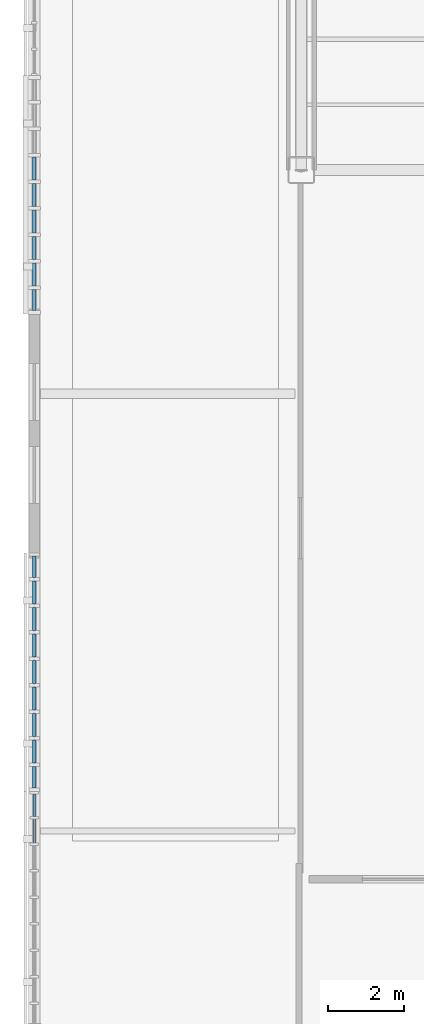
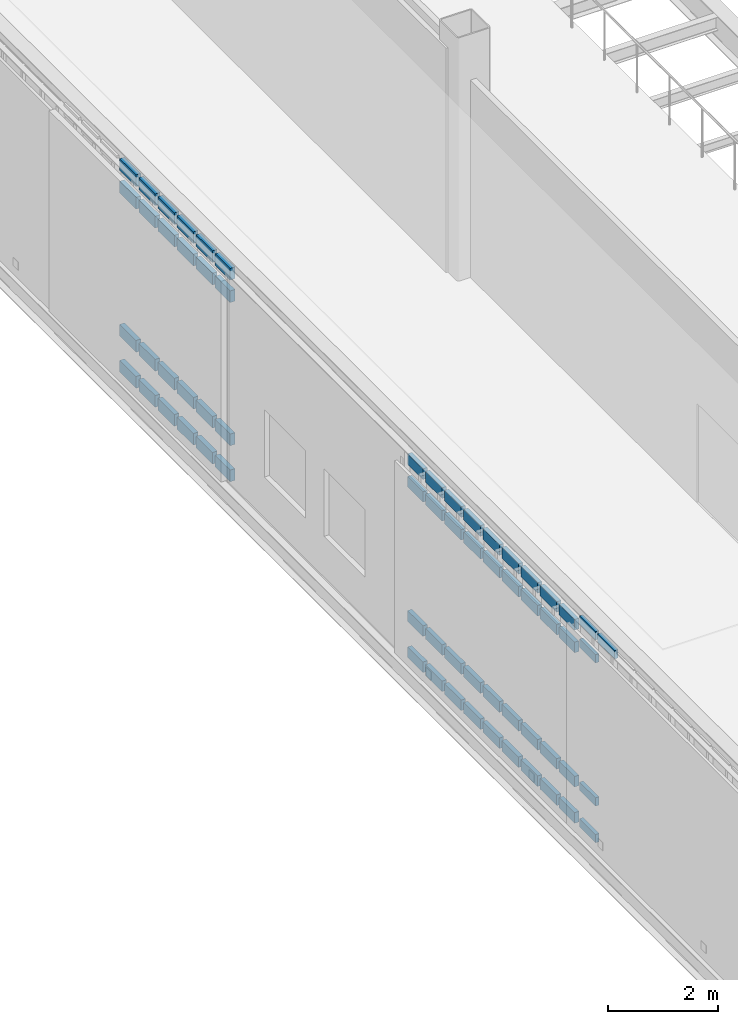
# One storey, part 49 of 127: 65 members, 3 elements without a shape of their own.
"""IFC4 building model written with IfcOpenShell, lengths in metres."""

from ifc_helpers import new_model, si_unit, direction, frame, origin, origin_2d, place, context, subcontext, project, spatial, rectangle, extrude, material, material_profile, profile_set, type_object, element, aggregate, save


model = new_model("IFC4")

# Units and contexts
model_context = context("Model", 3, precision=1e-05, world=origin(), true_north=direction((0.0, 1.0)))
body_context = subcontext(model_context, "Body", "Model", "MODEL_VIEW")
ifc_project = project(units=[si_unit("LENGTHUNIT", "METRE"), si_unit("AREAUNIT", "SQUARE_METRE"), si_unit("VOLUMEUNIT", "CUBIC_METRE"), si_unit("PLANEANGLEUNIT", "RADIAN"), si_unit("MASSUNIT", "GRAM", prefix="KILO")], contexts=[model_context])

# Site, building, storey
site_placement = place(None, origin())
site = spatial("IfcSite", under=ifc_project, at=site_placement, CompositionType="ELEMENT")
building_placement = place(site_placement, origin())
building = spatial("IfcBuilding", under=site, at=building_placement, Name="Larkvane Passage Sports Hall", CompositionType="ELEMENT")
storey_placement = place(building_placement, frame((0.0, 0.0, 5.39990234375)))
storey = spatial("IfcBuildingStorey", under=building, at=storey_placement, Name="L01", CompositionType="ELEMENT", Elevation=5.39990234375)

# Curtain wall, members
ifc_material_1 = material(Name="Thermally broken aluminium and low-E glazing", Category="aluminium")
curtain_wall_type_1 = type_object("IfcCurtainWallType", Name="CW-CLINIC", PredefinedType="USERDEFINED", material=ifc_material_1)
curtain_wall_1_placement = place(storey_placement, origin())
curtain_wall_1 = element("IfcCurtainWall", 1, at=curtain_wall_1_placement, inside=storey, type_object=curtain_wall_type_1, Name="Curtain wall CW5-L01-035", ObjectType="UNITISED CURTAIN WALL", PredefinedType="USERDEFINED")
ifc_material_2 = material(Name="Anodised aluminium 6063-T6", Category="aluminium")
ifc_material_profile_1 = material_profile(ifc_material_2, rectangle(XDim=0.10009765625, YDim=0.260009765625, at=origin_2d()), Name="ALU-TRN-100x260")
ifc_profile_set_1 = profile_set([ifc_material_profile_1], Name="Anodised aluminium 6063-T6")
member_type_1 = type_object("IfcMemberType", Name="CW-TRN-100x260", PredefinedType="USERDEFINED", material=ifc_profile_set_1)
member_1_placement = place(storey_placement, frame((27.800048828125, 47.918212890625, 0.050048828125), z_axis=(0.0, 1.0, 0.0), x_axis=(-1.0, 0.0, 0.0)))
member_1 = element("IfcMember", 2, at=member_1_placement, type_object=member_type_1, Name="CW-05 transom 1.1", ObjectType="TRANSOM", PredefinedType="USERDEFINED", context=body_context, shape_type="SweptSolid", body=[
    extrude(rectangle(XDim=0.10009765625, YDim=0.260009765625, at=origin_2d()), origin(), (0.0, 0.0, 1.0), 0.544921875),
])
member_2_placement = place(storey_placement, frame((27.800048828125, 47.918212890625, 0.85009765625), z_axis=(0.0, 1.0, 0.0), x_axis=(-1.0, 0.0, 0.0)))
member_2 = element("IfcMember", 3, at=member_2_placement, type_object=member_type_1, Name="CW-05 transom 1.2", ObjectType="TRANSOM", PredefinedType="USERDEFINED", context=body_context, shape_type="SweptSolid", body=[
    extrude(rectangle(XDim=0.10009765625, YDim=0.260009765625, at=origin_2d()), origin(), (0.0, 0.0, 1.0), 0.544921875),
])
member_3_placement = place(storey_placement, frame((27.800048828125, 47.918212890625, 4.028076171875), z_axis=(0.0, 1.0, 0.0), x_axis=(-1.0, 0.0, 0.0)))
member_3 = element("IfcMember", 4, at=member_3_placement, type_object=member_type_1, Name="CW-05 transom 1.3", ObjectType="TRANSOM", PredefinedType="USERDEFINED", context=body_context, shape_type="SweptSolid", body=[
    extrude(rectangle(XDim=0.10009765625, YDim=0.260009765625, at=origin_2d()), origin(), (0.0, 0.0, 1.0), 0.544921875),
])
member_4_placement = place(storey_placement, frame((27.800048828125, 47.918212890625, 4.528076171875), z_axis=(0.0, 1.0, 0.0), x_axis=(-1.0, 0.0, 0.0)))
member_4 = element("IfcMember", 5, at=member_4_placement, type_object=member_type_1, Name="CW-05 transom 1.4", ObjectType="TRANSOM", PredefinedType="USERDEFINED", context=body_context, shape_type="SweptSolid", body=[
    extrude(rectangle(XDim=0.10009765625, YDim=0.260009765625, at=origin_2d()), origin(), (0.0, 0.0, 1.0), 0.544921875),
])
member_5_placement = place(storey_placement, frame((27.800048828125, 48.563232421875, 0.050048828125), z_axis=(0.0, 1.0, 0.0), x_axis=(-1.0, 0.0, 0.0)))
member_5 = element("IfcMember", 6, at=member_5_placement, type_object=member_type_1, Name="CW-05 transom 2.1", ObjectType="TRANSOM", PredefinedType="USERDEFINED", context=body_context, shape_type="SweptSolid", body=[
    extrude(rectangle(XDim=0.10009765625, YDim=0.260009765625, at=origin_2d()), origin(), (0.0, 0.0, 1.0), 0.594970703125),
])
member_6_placement = place(storey_placement, frame((27.800048828125, 48.563232421875, 0.85009765625), z_axis=(0.0, 1.0, 0.0), x_axis=(-1.0, 0.0, 0.0)))
member_6 = element("IfcMember", 7, at=member_6_placement, type_object=member_type_1, Name="CW-05 transom 2.2", ObjectType="TRANSOM", PredefinedType="USERDEFINED", context=body_context, shape_type="SweptSolid", body=[
    extrude(rectangle(XDim=0.10009765625, YDim=0.260009765625, at=origin_2d()), origin(), (0.0, 0.0, 1.0), 0.594970703125),
])
member_7_placement = place(storey_placement, frame((27.800048828125, 48.563232421875, 4.028076171875), z_axis=(0.0, 1.0, 0.0), x_axis=(-1.0, 0.0, 0.0)))
member_7 = element("IfcMember", 8, at=member_7_placement, type_object=member_type_1, Name="CW-05 transom 2.3", ObjectType="TRANSOM", PredefinedType="USERDEFINED", context=body_context, shape_type="SweptSolid", body=[
    extrude(rectangle(XDim=0.10009765625, YDim=0.260009765625, at=origin_2d()), origin(), (0.0, 0.0, 1.0), 0.594970703125),
])
member_8_placement = place(storey_placement, frame((27.800048828125, 48.563232421875, 4.528076171875), z_axis=(0.0, 1.0, 0.0), x_axis=(-1.0, 0.0, 0.0)))
member_8 = element("IfcMember", 9, at=member_8_placement, type_object=member_type_1, Name="CW-05 transom 2.4", ObjectType="TRANSOM", PredefinedType="USERDEFINED", context=body_context, shape_type="SweptSolid", body=[
    extrude(rectangle(XDim=0.10009765625, YDim=0.260009765625, at=origin_2d()), origin(), (0.0, 0.0, 1.0), 0.594970703125),
])
member_9_placement = place(storey_placement, frame((27.800048828125, 49.258056640625, 0.050048828125), z_axis=(0.0, 1.0, 0.0), x_axis=(-1.0, 0.0, 0.0)))
member_9 = element("IfcMember", 10, at=member_9_placement, type_object=member_type_1, Name="CW-05 transom 3.1", ObjectType="TRANSOM", PredefinedType="USERDEFINED", context=body_context, shape_type="SweptSolid", body=[
    extrude(rectangle(XDim=0.10009765625, YDim=0.260009765625, at=origin_2d()), origin(), (0.0, 0.0, 1.0), 0.594970703125),
])
member_10_placement = place(storey_placement, frame((27.800048828125, 49.258056640625, 0.85009765625), z_axis=(0.0, 1.0, 0.0), x_axis=(-1.0, 0.0, 0.0)))
member_10 = element("IfcMember", 11, at=member_10_placement, type_object=member_type_1, Name="CW-05 transom 3.2", ObjectType="TRANSOM", PredefinedType="USERDEFINED", context=body_context, shape_type="SweptSolid", body=[
    extrude(rectangle(XDim=0.10009765625, YDim=0.260009765625, at=origin_2d()), origin(), (0.0, 0.0, 1.0), 0.594970703125),
])
member_11_placement = place(storey_placement, frame((27.800048828125, 49.258056640625, 4.028076171875), z_axis=(0.0, 1.0, 0.0), x_axis=(-1.0, 0.0, 0.0)))
member_11 = element("IfcMember", 12, at=member_11_placement, type_object=member_type_1, Name="CW-05 transom 3.3", ObjectType="TRANSOM", PredefinedType="USERDEFINED", context=body_context, shape_type="SweptSolid", body=[
    extrude(rectangle(XDim=0.10009765625, YDim=0.260009765625, at=origin_2d()), origin(), (0.0, 0.0, 1.0), 0.594970703125),
])
member_12_placement = place(storey_placement, frame((27.800048828125, 49.258056640625, 4.528076171875), z_axis=(0.0, 1.0, 0.0), x_axis=(-1.0, 0.0, 0.0)))
member_12 = element("IfcMember", 13, at=member_12_placement, type_object=member_type_1, Name="CW-05 transom 3.4", ObjectType="TRANSOM", PredefinedType="USERDEFINED", context=body_context, shape_type="SweptSolid", body=[
    extrude(rectangle(XDim=0.10009765625, YDim=0.260009765625, at=origin_2d()), origin(), (0.0, 0.0, 1.0), 0.594970703125),
])
member_13_placement = place(storey_placement, frame((27.800048828125, 49.953125, 0.050048828125), z_axis=(0.0, 1.0, 0.0), x_axis=(-1.0, 0.0, 0.0)))
member_13 = element("IfcMember", 14, at=member_13_placement, type_object=member_type_1, Name="CW-05 transom 4.1", ObjectType="TRANSOM", PredefinedType="USERDEFINED", context=body_context, shape_type="SweptSolid", body=[
    extrude(rectangle(XDim=0.10009765625, YDim=0.260009765625, at=origin_2d()), origin(), (0.0, 0.0, 1.0), 0.594970703125),
])
member_14_placement = place(storey_placement, frame((27.800048828125, 49.953125, 0.85009765625), z_axis=(0.0, 1.0, 0.0), x_axis=(-1.0, 0.0, 0.0)))
member_14 = element("IfcMember", 15, at=member_14_placement, type_object=member_type_1, Name="CW-05 transom 4.2", ObjectType="TRANSOM", PredefinedType="USERDEFINED", context=body_context, shape_type="SweptSolid", body=[
    extrude(rectangle(XDim=0.10009765625, YDim=0.260009765625, at=origin_2d()), origin(), (0.0, 0.0, 1.0), 0.594970703125),
])
member_15_placement = place(storey_placement, frame((27.800048828125, 49.953125, 4.028076171875), z_axis=(0.0, 1.0, 0.0), x_axis=(-1.0, 0.0, 0.0)))
member_15 = element("IfcMember", 16, at=member_15_placement, type_object=member_type_1, Name="CW-05 transom 4.3", ObjectType="TRANSOM", PredefinedType="USERDEFINED", context=body_context, shape_type="SweptSolid", body=[
    extrude(rectangle(XDim=0.10009765625, YDim=0.260009765625, at=origin_2d()), origin(), (0.0, 0.0, 1.0), 0.594970703125),
])
member_16_placement = place(storey_placement, frame((27.800048828125, 49.953125, 4.528076171875), z_axis=(0.0, 1.0, 0.0), x_axis=(-1.0, 0.0, 0.0)))
member_16 = element("IfcMember", 17, at=member_16_placement, type_object=member_type_1, Name="CW-05 transom 4.4", ObjectType="TRANSOM", PredefinedType="USERDEFINED", context=body_context, shape_type="SweptSolid", body=[
    extrude(rectangle(XDim=0.10009765625, YDim=0.260009765625, at=origin_2d()), origin(), (0.0, 0.0, 1.0), 0.594970703125),
])
member_17_placement = place(storey_placement, frame((27.800048828125, 50.64794921875, 0.050048828125), z_axis=(0.0, 1.0, 0.0), x_axis=(-1.0, 0.0, 0.0)))
member_17 = element("IfcMember", 18, at=member_17_placement, type_object=member_type_1, Name="CW-05 transom 5.1", ObjectType="TRANSOM", PredefinedType="USERDEFINED", context=body_context, shape_type="SweptSolid", body=[
    extrude(rectangle(XDim=0.10009765625, YDim=0.260009765625, at=origin_2d()), origin(), (0.0, 0.0, 1.0), 0.594970703125),
])
member_18_placement = place(storey_placement, frame((27.800048828125, 50.64794921875, 0.85009765625), z_axis=(0.0, 1.0, 0.0), x_axis=(-1.0, 0.0, 0.0)))
member_18 = element("IfcMember", 19, at=member_18_placement, type_object=member_type_1, Name="CW-05 transom 5.2", ObjectType="TRANSOM", PredefinedType="USERDEFINED", context=body_context, shape_type="SweptSolid", body=[
    extrude(rectangle(XDim=0.10009765625, YDim=0.260009765625, at=origin_2d()), origin(), (0.0, 0.0, 1.0), 0.594970703125),
])
member_19_placement = place(storey_placement, frame((27.800048828125, 50.64794921875, 4.028076171875), z_axis=(0.0, 1.0, 0.0), x_axis=(-1.0, 0.0, 0.0)))
member_19 = element("IfcMember", 20, at=member_19_placement, type_object=member_type_1, Name="CW-05 transom 5.3", ObjectType="TRANSOM", PredefinedType="USERDEFINED", context=body_context, shape_type="SweptSolid", body=[
    extrude(rectangle(XDim=0.10009765625, YDim=0.260009765625, at=origin_2d()), origin(), (0.0, 0.0, 1.0), 0.594970703125),
])
member_20_placement = place(storey_placement, frame((27.800048828125, 50.64794921875, 4.528076171875), z_axis=(0.0, 1.0, 0.0), x_axis=(-1.0, 0.0, 0.0)))
member_20 = element("IfcMember", 21, at=member_20_placement, type_object=member_type_1, Name="CW-05 transom 5.4", ObjectType="TRANSOM", PredefinedType="USERDEFINED", context=body_context, shape_type="SweptSolid", body=[
    extrude(rectangle(XDim=0.10009765625, YDim=0.260009765625, at=origin_2d()), origin(), (0.0, 0.0, 1.0), 0.594970703125),
])
member_21_placement = place(storey_placement, frame((27.800048828125, 51.343017578125, 0.050048828125), z_axis=(0.0, 1.0, 0.0), x_axis=(-1.0, 0.0, 0.0)))
member_21 = element("IfcMember", 22, at=member_21_placement, type_object=member_type_1, Name="CW-05 transom 6.1", ObjectType="TRANSOM", PredefinedType="USERDEFINED", context=body_context, shape_type="SweptSolid", body=[
    extrude(rectangle(XDim=0.10009765625, YDim=0.260009765625, at=origin_2d()), origin(), (0.0, 0.0, 1.0), 0.594970703125),
])
member_22_placement = place(storey_placement, frame((27.800048828125, 51.343017578125, 0.85009765625), z_axis=(0.0, 1.0, 0.0), x_axis=(-1.0, 0.0, 0.0)))
member_22 = element("IfcMember", 23, at=member_22_placement, type_object=member_type_1, Name="CW-05 transom 6.2", ObjectType="TRANSOM", PredefinedType="USERDEFINED", context=body_context, shape_type="SweptSolid", body=[
    extrude(rectangle(XDim=0.10009765625, YDim=0.260009765625, at=origin_2d()), origin(), (0.0, 0.0, 1.0), 0.594970703125),
])
member_23_placement = place(storey_placement, frame((27.800048828125, 51.343017578125, 4.028076171875), z_axis=(0.0, 1.0, 0.0), x_axis=(-1.0, 0.0, 0.0)))
member_23 = element("IfcMember", 24, at=member_23_placement, type_object=member_type_1, Name="CW-05 transom 6.3", ObjectType="TRANSOM", PredefinedType="USERDEFINED", context=body_context, shape_type="SweptSolid", body=[
    extrude(rectangle(XDim=0.10009765625, YDim=0.260009765625, at=origin_2d()), origin(), (0.0, 0.0, 1.0), 0.594970703125),
])
member_24_placement = place(storey_placement, frame((27.800048828125, 51.343017578125, 4.528076171875), z_axis=(0.0, 1.0, 0.0), x_axis=(-1.0, 0.0, 0.0)))
member_24 = element("IfcMember", 25, at=member_24_placement, type_object=member_type_1, Name="CW-05 transom 6.4", ObjectType="TRANSOM", PredefinedType="USERDEFINED", context=body_context, shape_type="SweptSolid", body=[
    extrude(rectangle(XDim=0.10009765625, YDim=0.260009765625, at=origin_2d()), origin(), (0.0, 0.0, 1.0), 0.594970703125),
])
aggregate(curtain_wall_1, [member_1, member_2, member_3, member_4, member_5, member_6, member_7, member_8, member_9, member_10, member_11, member_12, member_13, member_14, member_15, member_16, member_17, member_18, member_19, member_20, member_21, member_22, member_23, member_24])

curtain_wall_type_2 = type_object("IfcCurtainWallType", Name="CW-UNIT-VEIL", PredefinedType="USERDEFINED", material=ifc_material_1)
curtain_wall_2_placement = place(storey_placement, origin())
curtain_wall_2 = element("IfcCurtainWall", 26, at=curtain_wall_2_placement, inside=storey, type_object=curtain_wall_type_2, Name="Curtain wall CW5-L01-033", ObjectType="UNITISED CURTAIN WALL", PredefinedType="USERDEFINED")
ifc_material_profile_2 = material_profile(ifc_material_2, rectangle(XDim=0.074951171875, YDim=0.18505859375, at=origin_2d()), Name="ALU-TRN-75x185")
ifc_profile_set_2 = profile_set([ifc_material_profile_2], Name="Anodised aluminium 6063-T6")
member_type_2 = type_object("IfcMemberType", Name="CW-TRN-75x185", PredefinedType="USERDEFINED", material=ifc_profile_set_2)
member_25_placement = place(storey_placement, frame((27.800048828125, 33.956787109375, 4.54052734375), z_axis=(0.0, 1.0, 0.0), x_axis=(-1.0, 0.0, 0.0)))
member_25 = element("IfcMember", 27, at=member_25_placement, type_object=member_type_2, Name="CW-02 transom 8.4", ObjectType="TRANSOM", PredefinedType="USERDEFINED", context=body_context, shape_type="SweptSolid", body=[
    extrude(rectangle(XDim=0.074951171875, YDim=0.18505859375, at=origin_2d()), origin(), (0.0, 0.0, 1.0), 0.619873046875),
])
member_26_placement = place(storey_placement, frame((27.800048828125, 34.651611328125, 0.03759765625), z_axis=(0.0, 1.0, 0.0), x_axis=(-1.0, 0.0, 0.0)))
member_26 = element("IfcMember", 28, at=member_26_placement, type_object=member_type_2, Name="CW-02 transom 9.1", ObjectType="TRANSOM", PredefinedType="USERDEFINED", context=body_context, shape_type="SweptSolid", body=[
    extrude(rectangle(XDim=0.074951171875, YDim=0.18505859375, at=origin_2d()), origin(), (0.0, 0.0, 1.0), 0.58251953125),
])
member_27_placement = place(storey_placement, frame((27.800048828125, 34.651611328125, 0.85009765625), z_axis=(0.0, 1.0, 0.0), x_axis=(-1.0, 0.0, 0.0)))
member_27 = element("IfcMember", 29, at=member_27_placement, type_object=member_type_2, Name="CW-02 transom 9.2", ObjectType="TRANSOM", PredefinedType="USERDEFINED", context=body_context, shape_type="SweptSolid", body=[
    extrude(rectangle(XDim=0.074951171875, YDim=0.18505859375, at=origin_2d()), origin(), (0.0, 0.0, 1.0), 0.58251953125),
])
member_28_placement = place(storey_placement, frame((27.800048828125, 34.651611328125, 4.028076171875), z_axis=(0.0, 1.0, 0.0), x_axis=(-1.0, 0.0, 0.0)))
member_28 = element("IfcMember", 30, at=member_28_placement, type_object=member_type_2, Name="CW-02 transom 9.3", ObjectType="TRANSOM", PredefinedType="USERDEFINED", context=body_context, shape_type="SweptSolid", body=[
    extrude(rectangle(XDim=0.074951171875, YDim=0.18505859375, at=origin_2d()), origin(), (0.0, 0.0, 1.0), 0.58251953125),
])
member_29_placement = place(storey_placement, frame((27.800048828125, 34.651611328125, 4.54052734375), z_axis=(0.0, 1.0, 0.0), x_axis=(-1.0, 0.0, 0.0)))
member_29 = element("IfcMember", 31, at=member_29_placement, type_object=member_type_2, Name="CW-02 transom 9.4", ObjectType="TRANSOM", PredefinedType="USERDEFINED", context=body_context, shape_type="SweptSolid", body=[
    extrude(rectangle(XDim=0.074951171875, YDim=0.18505859375, at=origin_2d()), origin(), (0.0, 0.0, 1.0), 0.58251953125),
])
aggregate(curtain_wall_2, [member_25, member_26, member_27, member_28, member_29])

curtain_wall_type_3 = type_object("IfcCurtainWallType", Name="CW-STICK-FOYER", PredefinedType="USERDEFINED", material=ifc_material_1)
curtain_wall_3_placement = place(storey_placement, origin())
curtain_wall_3 = element("IfcCurtainWall", 32, at=curtain_wall_3_placement, inside=storey, type_object=curtain_wall_type_3, Name="Curtain wall CW5-L01-034", ObjectType="STICK CURTAIN WALL", PredefinedType="USERDEFINED")
ifc_material_profile_3 = material_profile(ifc_material_2, rectangle(XDim=0.090087890625, YDim=0.235107421875, at=origin_2d()), Name="ALU-TRN-90x235")
ifc_profile_set_3 = profile_set([ifc_material_profile_3], Name="Anodised aluminium 6063-T6")
member_type_3 = type_object("IfcMemberType", Name="CW-TRN-90x235", PredefinedType="USERDEFINED", material=ifc_profile_set_3)
member_30_placement = place(storey_placement, frame((27.800048828125, 35.399169921875, 0.045166015625), z_axis=(0.0, 1.0, 0.0), x_axis=(-1.0, 0.0, 0.0)))
member_30 = element("IfcMember", 33, at=member_30_placement, type_object=member_type_3, Name="CW-03 transom 1.1", ObjectType="TRANSOM", PredefinedType="USERDEFINED", context=body_context, shape_type="SweptSolid", body=[
    extrude(rectangle(XDim=0.090087890625, YDim=0.235107421875, at=origin_2d()), origin(), (0.0, 0.0, 1.0), 0.559814453125),
])
member_31_placement = place(storey_placement, frame((27.800048828125, 35.399169921875, 0.85009765625), z_axis=(0.0, 1.0, 0.0), x_axis=(-1.0, 0.0, 0.0)))
member_31 = element("IfcMember", 34, at=member_31_placement, type_object=member_type_3, Name="CW-03 transom 1.2", ObjectType="TRANSOM", PredefinedType="USERDEFINED", context=body_context, shape_type="SweptSolid", body=[
    extrude(rectangle(XDim=0.090087890625, YDim=0.235107421875, at=origin_2d()), origin(), (0.0, 0.0, 1.0), 0.559814453125),
])
member_32_placement = place(storey_placement, frame((27.800048828125, 35.399169921875, 3.830078125), z_axis=(0.0, 1.0, 0.0), x_axis=(-1.0, 0.0, 0.0)))
member_32 = element("IfcMember", 35, at=member_32_placement, type_object=member_type_3, Name="CW-03 transom 1.3", ObjectType="TRANSOM", PredefinedType="USERDEFINED", context=body_context, shape_type="SweptSolid", body=[
    extrude(rectangle(XDim=0.090087890625, YDim=0.235107421875, at=origin_2d()), origin(), (0.0, 0.0, 1.0), 0.559814453125),
])
member_33_placement = place(storey_placement, frame((27.800048828125, 35.399169921875, 4.335205078125), z_axis=(0.0, 1.0, 0.0), x_axis=(-1.0, 0.0, 0.0)))
member_33 = element("IfcMember", 36, at=member_33_placement, type_object=member_type_3, Name="CW-03 transom 1.4", ObjectType="TRANSOM", PredefinedType="USERDEFINED", context=body_context, shape_type="SweptSolid", body=[
    extrude(rectangle(XDim=0.090087890625, YDim=0.235107421875, at=origin_2d()), origin(), (0.0, 0.0, 1.0), 0.559814453125),
])
member_34_placement = place(storey_placement, frame((27.800048828125, 36.049072265625, 0.045166015625), z_axis=(0.0, 1.0, 0.0), x_axis=(-1.0, 0.0, 0.0)))
member_34 = element("IfcMember", 37, at=member_34_placement, type_object=member_type_3, Name="CW-03 transom 2.1", ObjectType="TRANSOM", PredefinedType="USERDEFINED", context=body_context, shape_type="SweptSolid", body=[
    extrude(rectangle(XDim=0.090087890625, YDim=0.235107421875, at=origin_2d()), origin(), (0.0, 0.0, 1.0), 0.60498046875),
])
member_35_placement = place(storey_placement, frame((27.800048828125, 36.049072265625, 0.85009765625), z_axis=(0.0, 1.0, 0.0), x_axis=(-1.0, 0.0, 0.0)))
member_35 = element("IfcMember", 38, at=member_35_placement, type_object=member_type_3, Name="CW-03 transom 2.2", ObjectType="TRANSOM", PredefinedType="USERDEFINED", context=body_context, shape_type="SweptSolid", body=[
    extrude(rectangle(XDim=0.090087890625, YDim=0.235107421875, at=origin_2d()), origin(), (0.0, 0.0, 1.0), 0.60498046875),
])
member_36_placement = place(storey_placement, frame((27.800048828125, 36.049072265625, 3.830078125), z_axis=(0.0, 1.0, 0.0), x_axis=(-1.0, 0.0, 0.0)))
member_36 = element("IfcMember", 39, at=member_36_placement, type_object=member_type_3, Name="CW-03 transom 2.3", ObjectType="TRANSOM", PredefinedType="USERDEFINED", context=body_context, shape_type="SweptSolid", body=[
    extrude(rectangle(XDim=0.090087890625, YDim=0.235107421875, at=origin_2d()), origin(), (0.0, 0.0, 1.0), 0.60498046875),
])
member_37_placement = place(storey_placement, frame((27.800048828125, 36.049072265625, 4.335205078125), z_axis=(0.0, 1.0, 0.0), x_axis=(-1.0, 0.0, 0.0)))
member_37 = element("IfcMember", 40, at=member_37_placement, type_object=member_type_3, Name="CW-03 transom 2.4", ObjectType="TRANSOM", PredefinedType="USERDEFINED", context=body_context, shape_type="SweptSolid", body=[
    extrude(rectangle(XDim=0.090087890625, YDim=0.235107421875, at=origin_2d()), origin(), (0.0, 0.0, 1.0), 0.60498046875),
])
member_38_placement = place(storey_placement, frame((27.800048828125, 36.743896484375, 0.045166015625), z_axis=(0.0, 1.0, 0.0), x_axis=(-1.0, 0.0, 0.0)))
member_38 = element("IfcMember", 41, at=member_38_placement, type_object=member_type_3, Name="CW-03 transom 3.1", ObjectType="TRANSOM", PredefinedType="USERDEFINED", context=body_context, shape_type="SweptSolid", body=[
    extrude(rectangle(XDim=0.090087890625, YDim=0.235107421875, at=origin_2d()), origin(), (0.0, 0.0, 1.0), 0.60498046875),
])
member_39_placement = place(storey_placement, frame((27.800048828125, 36.743896484375, 0.85009765625), z_axis=(0.0, 1.0, 0.0), x_axis=(-1.0, 0.0, 0.0)))
member_39 = element("IfcMember", 42, at=member_39_placement, type_object=member_type_3, Name="CW-03 transom 3.2", ObjectType="TRANSOM", PredefinedType="USERDEFINED", context=body_context, shape_type="SweptSolid", body=[
    extrude(rectangle(XDim=0.090087890625, YDim=0.235107421875, at=origin_2d()), origin(), (0.0, 0.0, 1.0), 0.60498046875),
])
member_40_placement = place(storey_placement, frame((27.800048828125, 36.743896484375, 3.830078125), z_axis=(0.0, 1.0, 0.0), x_axis=(-1.0, 0.0, 0.0)))
member_40 = element("IfcMember", 43, at=member_40_placement, type_object=member_type_3, Name="CW-03 transom 3.3", ObjectType="TRANSOM", PredefinedType="USERDEFINED", context=body_context, shape_type="SweptSolid", body=[
    extrude(rectangle(XDim=0.090087890625, YDim=0.235107421875, at=origin_2d()), origin(), (0.0, 0.0, 1.0), 0.60498046875),
])
member_41_placement = place(storey_placement, frame((27.800048828125, 36.743896484375, 4.335205078125), z_axis=(0.0, 1.0, 0.0), x_axis=(-1.0, 0.0, 0.0)))
member_41 = element("IfcMember", 44, at=member_41_placement, type_object=member_type_3, Name="CW-03 transom 3.4", ObjectType="TRANSOM", PredefinedType="USERDEFINED", context=body_context, shape_type="SweptSolid", body=[
    extrude(rectangle(XDim=0.090087890625, YDim=0.235107421875, at=origin_2d()), origin(), (0.0, 0.0, 1.0), 0.60498046875),
])
member_42_placement = place(storey_placement, frame((27.800048828125, 37.43896484375, 0.045166015625), z_axis=(0.0, 1.0, 0.0), x_axis=(-1.0, 0.0, 0.0)))
member_42 = element("IfcMember", 45, at=member_42_placement, type_object=member_type_3, Name="CW-03 transom 4.1", ObjectType="TRANSOM", PredefinedType="USERDEFINED", context=body_context, shape_type="SweptSolid", body=[
    extrude(rectangle(XDim=0.090087890625, YDim=0.235107421875, at=origin_2d()), origin(), (0.0, 0.0, 1.0), 0.60498046875),
])
member_43_placement = place(storey_placement, frame((27.800048828125, 37.43896484375, 0.85009765625), z_axis=(0.0, 1.0, 0.0), x_axis=(-1.0, 0.0, 0.0)))
member_43 = element("IfcMember", 46, at=member_43_placement, type_object=member_type_3, Name="CW-03 transom 4.2", ObjectType="TRANSOM", PredefinedType="USERDEFINED", context=body_context, shape_type="SweptSolid", body=[
    extrude(rectangle(XDim=0.090087890625, YDim=0.235107421875, at=origin_2d()), origin(), (0.0, 0.0, 1.0), 0.60498046875),
])
member_44_placement = place(storey_placement, frame((27.800048828125, 37.43896484375, 3.830078125), z_axis=(0.0, 1.0, 0.0), x_axis=(-1.0, 0.0, 0.0)))
member_44 = element("IfcMember", 47, at=member_44_placement, type_object=member_type_3, Name="CW-03 transom 4.3", ObjectType="TRANSOM", PredefinedType="USERDEFINED", context=body_context, shape_type="SweptSolid", body=[
    extrude(rectangle(XDim=0.090087890625, YDim=0.235107421875, at=origin_2d()), origin(), (0.0, 0.0, 1.0), 0.60498046875),
])
member_45_placement = place(storey_placement, frame((27.800048828125, 37.43896484375, 4.335205078125), z_axis=(0.0, 1.0, 0.0), x_axis=(-1.0, 0.0, 0.0)))
member_45 = element("IfcMember", 48, at=member_45_placement, type_object=member_type_3, Name="CW-03 transom 4.4", ObjectType="TRANSOM", PredefinedType="USERDEFINED", context=body_context, shape_type="SweptSolid", body=[
    extrude(rectangle(XDim=0.090087890625, YDim=0.235107421875, at=origin_2d()), origin(), (0.0, 0.0, 1.0), 0.60498046875),
])
member_46_placement = place(storey_placement, frame((27.800048828125, 38.1337890625, 0.045166015625), z_axis=(0.0, 1.0, 0.0), x_axis=(-1.0, 0.0, 0.0)))
member_46 = element("IfcMember", 49, at=member_46_placement, type_object=member_type_3, Name="CW-03 transom 5.1", ObjectType="TRANSOM", PredefinedType="USERDEFINED", context=body_context, shape_type="SweptSolid", body=[
    extrude(rectangle(XDim=0.090087890625, YDim=0.235107421875, at=origin_2d()), origin(), (0.0, 0.0, 1.0), 0.60498046875),
])
member_47_placement = place(storey_placement, frame((27.800048828125, 38.1337890625, 0.85009765625), z_axis=(0.0, 1.0, 0.0), x_axis=(-1.0, 0.0, 0.0)))
member_47 = element("IfcMember", 50, at=member_47_placement, type_object=member_type_3, Name="CW-03 transom 5.2", ObjectType="TRANSOM", PredefinedType="USERDEFINED", context=body_context, shape_type="SweptSolid", body=[
    extrude(rectangle(XDim=0.090087890625, YDim=0.235107421875, at=origin_2d()), origin(), (0.0, 0.0, 1.0), 0.60498046875),
])
member_48_placement = place(storey_placement, frame((27.800048828125, 38.1337890625, 3.830078125), z_axis=(0.0, 1.0, 0.0), x_axis=(-1.0, 0.0, 0.0)))
member_48 = element("IfcMember", 51, at=member_48_placement, type_object=member_type_3, Name="CW-03 transom 5.3", ObjectType="TRANSOM", PredefinedType="USERDEFINED", context=body_context, shape_type="SweptSolid", body=[
    extrude(rectangle(XDim=0.090087890625, YDim=0.235107421875, at=origin_2d()), origin(), (0.0, 0.0, 1.0), 0.60498046875),
])
member_49_placement = place(storey_placement, frame((27.800048828125, 38.1337890625, 4.335205078125), z_axis=(0.0, 1.0, 0.0), x_axis=(-1.0, 0.0, 0.0)))
member_49 = element("IfcMember", 52, at=member_49_placement, type_object=member_type_3, Name="CW-03 transom 5.4", ObjectType="TRANSOM", PredefinedType="USERDEFINED", context=body_context, shape_type="SweptSolid", body=[
    extrude(rectangle(XDim=0.090087890625, YDim=0.235107421875, at=origin_2d()), origin(), (0.0, 0.0, 1.0), 0.60498046875),
])
member_50_placement = place(storey_placement, frame((27.800048828125, 38.828857421875, 0.045166015625), z_axis=(0.0, 1.0, 0.0), x_axis=(-1.0, 0.0, 0.0)))
member_50 = element("IfcMember", 53, at=member_50_placement, type_object=member_type_3, Name="CW-03 transom 6.1", ObjectType="TRANSOM", PredefinedType="USERDEFINED", context=body_context, shape_type="SweptSolid", body=[
    extrude(rectangle(XDim=0.090087890625, YDim=0.235107421875, at=origin_2d()), origin(), (0.0, 0.0, 1.0), 0.60498046875),
])
member_51_placement = place(storey_placement, frame((27.800048828125, 38.828857421875, 0.85009765625), z_axis=(0.0, 1.0, 0.0), x_axis=(-1.0, 0.0, 0.0)))
member_51 = element("IfcMember", 54, at=member_51_placement, type_object=member_type_3, Name="CW-03 transom 6.2", ObjectType="TRANSOM", PredefinedType="USERDEFINED", context=body_context, shape_type="SweptSolid", body=[
    extrude(rectangle(XDim=0.090087890625, YDim=0.235107421875, at=origin_2d()), origin(), (0.0, 0.0, 1.0), 0.60498046875),
])
member_52_placement = place(storey_placement, frame((27.800048828125, 38.828857421875, 3.830078125), z_axis=(0.0, 1.0, 0.0), x_axis=(-1.0, 0.0, 0.0)))
member_52 = element("IfcMember", 55, at=member_52_placement, type_object=member_type_3, Name="CW-03 transom 6.3", ObjectType="TRANSOM", PredefinedType="USERDEFINED", context=body_context, shape_type="SweptSolid", body=[
    extrude(rectangle(XDim=0.090087890625, YDim=0.235107421875, at=origin_2d()), origin(), (0.0, 0.0, 1.0), 0.60498046875),
])
member_53_placement = place(storey_placement, frame((27.800048828125, 38.828857421875, 4.335205078125), z_axis=(0.0, 1.0, 0.0), x_axis=(-1.0, 0.0, 0.0)))
member_53 = element("IfcMember", 56, at=member_53_placement, type_object=member_type_3, Name="CW-03 transom 6.4", ObjectType="TRANSOM", PredefinedType="USERDEFINED", context=body_context, shape_type="SweptSolid", body=[
    extrude(rectangle(XDim=0.090087890625, YDim=0.235107421875, at=origin_2d()), origin(), (0.0, 0.0, 1.0), 0.60498046875),
])
member_54_placement = place(storey_placement, frame((27.800048828125, 39.523681640625, 0.045166015625), z_axis=(0.0, 1.0, 0.0), x_axis=(-1.0, 0.0, 0.0)))
member_54 = element("IfcMember", 57, at=member_54_placement, type_object=member_type_3, Name="CW-03 transom 7.1", ObjectType="TRANSOM", PredefinedType="USERDEFINED", context=body_context, shape_type="SweptSolid", body=[
    extrude(rectangle(XDim=0.090087890625, YDim=0.235107421875, at=origin_2d()), origin(), (0.0, 0.0, 1.0), 0.60498046875),
])
member_55_placement = place(storey_placement, frame((27.800048828125, 39.523681640625, 0.85009765625), z_axis=(0.0, 1.0, 0.0), x_axis=(-1.0, 0.0, 0.0)))
member_55 = element("IfcMember", 58, at=member_55_placement, type_object=member_type_3, Name="CW-03 transom 7.2", ObjectType="TRANSOM", PredefinedType="USERDEFINED", context=body_context, shape_type="SweptSolid", body=[
    extrude(rectangle(XDim=0.090087890625, YDim=0.235107421875, at=origin_2d()), origin(), (0.0, 0.0, 1.0), 0.60498046875),
])
member_56_placement = place(storey_placement, frame((27.800048828125, 39.523681640625, 3.830078125), z_axis=(0.0, 1.0, 0.0), x_axis=(-1.0, 0.0, 0.0)))
member_56 = element("IfcMember", 59, at=member_56_placement, type_object=member_type_3, Name="CW-03 transom 7.3", ObjectType="TRANSOM", PredefinedType="USERDEFINED", context=body_context, shape_type="SweptSolid", body=[
    extrude(rectangle(XDim=0.090087890625, YDim=0.235107421875, at=origin_2d()), origin(), (0.0, 0.0, 1.0), 0.60498046875),
])
member_57_placement = place(storey_placement, frame((27.800048828125, 39.523681640625, 4.335205078125), z_axis=(0.0, 1.0, 0.0), x_axis=(-1.0, 0.0, 0.0)))
member_57 = element("IfcMember", 60, at=member_57_placement, type_object=member_type_3, Name="CW-03 transom 7.4", ObjectType="TRANSOM", PredefinedType="USERDEFINED", context=body_context, shape_type="SweptSolid", body=[
    extrude(rectangle(XDim=0.090087890625, YDim=0.235107421875, at=origin_2d()), origin(), (0.0, 0.0, 1.0), 0.60498046875),
])
member_58_placement = place(storey_placement, frame((27.800048828125, 40.21875, 0.045166015625), z_axis=(0.0, 1.0, 0.0), x_axis=(-1.0, 0.0, 0.0)))
member_58 = element("IfcMember", 61, at=member_58_placement, type_object=member_type_3, Name="CW-03 transom 8.1", ObjectType="TRANSOM", PredefinedType="USERDEFINED", context=body_context, shape_type="SweptSolid", body=[
    extrude(rectangle(XDim=0.090087890625, YDim=0.235107421875, at=origin_2d()), origin(), (0.0, 0.0, 1.0), 0.60498046875),
])
member_59_placement = place(storey_placement, frame((27.800048828125, 40.21875, 0.85009765625), z_axis=(0.0, 1.0, 0.0), x_axis=(-1.0, 0.0, 0.0)))
member_59 = element("IfcMember", 62, at=member_59_placement, type_object=member_type_3, Name="CW-03 transom 8.2", ObjectType="TRANSOM", PredefinedType="USERDEFINED", context=body_context, shape_type="SweptSolid", body=[
    extrude(rectangle(XDim=0.090087890625, YDim=0.235107421875, at=origin_2d()), origin(), (0.0, 0.0, 1.0), 0.60498046875),
])
member_60_placement = place(storey_placement, frame((27.800048828125, 40.21875, 3.830078125), z_axis=(0.0, 1.0, 0.0), x_axis=(-1.0, 0.0, 0.0)))
member_60 = element("IfcMember", 63, at=member_60_placement, type_object=member_type_3, Name="CW-03 transom 8.3", ObjectType="TRANSOM", PredefinedType="USERDEFINED", context=body_context, shape_type="SweptSolid", body=[
    extrude(rectangle(XDim=0.090087890625, YDim=0.235107421875, at=origin_2d()), origin(), (0.0, 0.0, 1.0), 0.60498046875),
])
member_61_placement = place(storey_placement, frame((27.800048828125, 40.21875, 4.335205078125), z_axis=(0.0, 1.0, 0.0), x_axis=(-1.0, 0.0, 0.0)))
member_61 = element("IfcMember", 64, at=member_61_placement, type_object=member_type_3, Name="CW-03 transom 8.4", ObjectType="TRANSOM", PredefinedType="USERDEFINED", context=body_context, shape_type="SweptSolid", body=[
    extrude(rectangle(XDim=0.090087890625, YDim=0.235107421875, at=origin_2d()), origin(), (0.0, 0.0, 1.0), 0.60498046875),
])
member_62_placement = place(storey_placement, frame((27.800048828125, 40.91357421875, 0.045166015625), z_axis=(0.0, 1.0, 0.0), x_axis=(-1.0, 0.0, 0.0)))
member_62 = element("IfcMember", 65, at=member_62_placement, type_object=member_type_3, Name="CW-03 transom 9.1", ObjectType="TRANSOM", PredefinedType="USERDEFINED", context=body_context, shape_type="SweptSolid", body=[
    extrude(rectangle(XDim=0.090087890625, YDim=0.235107421875, at=origin_2d()), origin(), (0.0, 0.0, 1.0), 0.56005859375),
])
member_63_placement = place(storey_placement, frame((27.800048828125, 40.91357421875, 0.85009765625), z_axis=(0.0, 1.0, 0.0), x_axis=(-1.0, 0.0, 0.0)))
member_63 = element("IfcMember", 66, at=member_63_placement, type_object=member_type_3, Name="CW-03 transom 9.2", ObjectType="TRANSOM", PredefinedType="USERDEFINED", context=body_context, shape_type="SweptSolid", body=[
    extrude(rectangle(XDim=0.090087890625, YDim=0.235107421875, at=origin_2d()), origin(), (0.0, 0.0, 1.0), 0.56005859375),
])
member_64_placement = place(storey_placement, frame((27.800048828125, 40.91357421875, 3.830078125), z_axis=(0.0, 1.0, 0.0), x_axis=(-1.0, 0.0, 0.0)))
member_64 = element("IfcMember", 67, at=member_64_placement, type_object=member_type_3, Name="CW-03 transom 9.3", ObjectType="TRANSOM", PredefinedType="USERDEFINED", context=body_context, shape_type="SweptSolid", body=[
    extrude(rectangle(XDim=0.090087890625, YDim=0.235107421875, at=origin_2d()), origin(), (0.0, 0.0, 1.0), 0.56005859375),
])
member_65_placement = place(storey_placement, frame((27.800048828125, 40.91357421875, 4.335205078125), z_axis=(0.0, 1.0, 0.0), x_axis=(-1.0, 0.0, 0.0)))
member_65 = element("IfcMember", 68, at=member_65_placement, type_object=member_type_3, Name="CW-03 transom 9.4", ObjectType="TRANSOM", PredefinedType="USERDEFINED", context=body_context, shape_type="SweptSolid", body=[
    extrude(rectangle(XDim=0.090087890625, YDim=0.235107421875, at=origin_2d()), origin(), (0.0, 0.0, 1.0), 0.56005859375),
])
aggregate(curtain_wall_3, [member_30, member_31, member_32, member_33, member_34, member_35, member_36, member_37, member_38, member_39, member_40, member_41, member_42, member_43, member_44, member_45, member_46, member_47, member_48, member_49, member_50, member_51, member_52, member_53, member_54, member_55, member_56, member_57, member_58, member_59, member_60, member_61, member_62, member_63, member_64, member_65])

save(model, "model.ifc")
